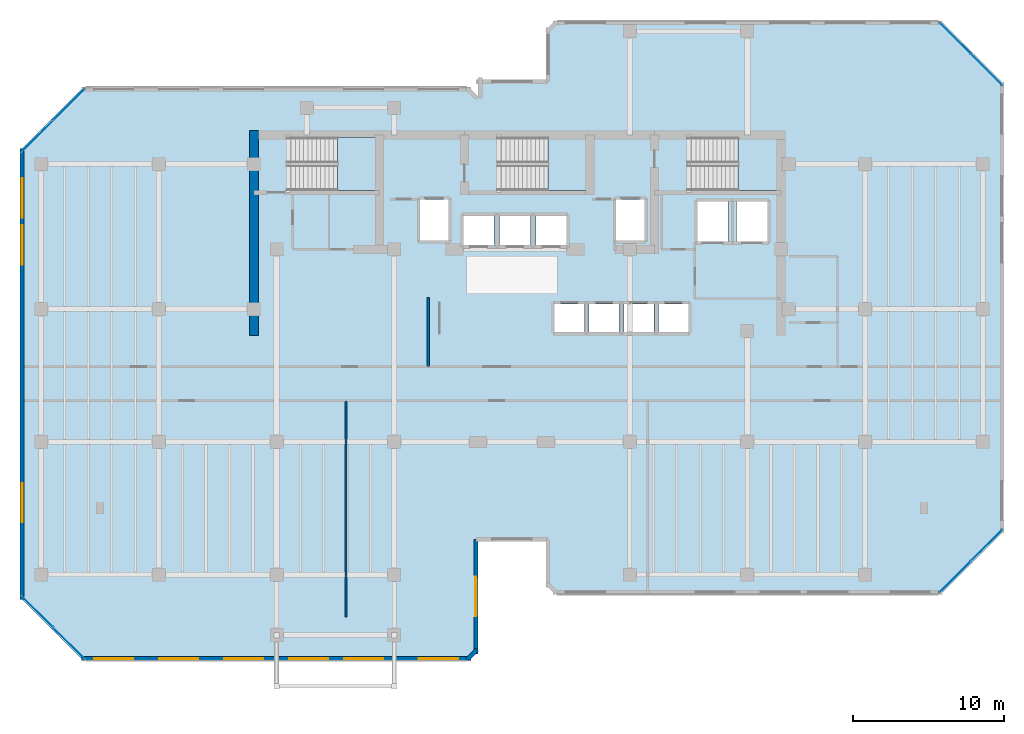
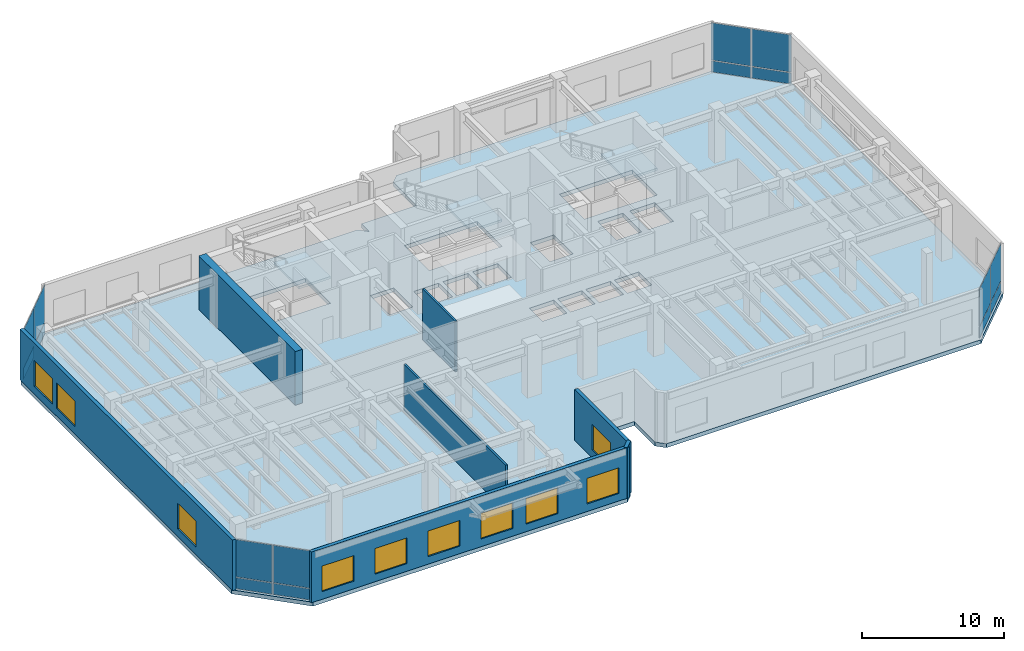
# One storey, part 13 of 20: 16 plates, 10 windows, 7 walls, 4 slabs, 10 openings, 7 elements without a shape of their own.
"""IFC4 building model written with IfcOpenShell, lengths in metres."""

from ifc_helpers import new_model, si_unit, direction, frame, frame_2d, origin, origin_2d, place, context, subcontext, project, spatial, polyline, rectangle, outline, extrude, material, layer, layer_set, type_object, element, fill, aggregate, save


model = new_model("IFC4")

# Units and contexts
model_context = context("Model", 3, precision=1e-05, world=origin(), true_north=direction((0.0, 1.0)))
body_context = subcontext(model_context, "Body", "Model", "MODEL_VIEW")
ifc_project = project(units=[si_unit("LENGTHUNIT", "METRE"), si_unit("AREAUNIT", "SQUARE_METRE"), si_unit("VOLUMEUNIT", "CUBIC_METRE"), si_unit("PLANEANGLEUNIT", "RADIAN"), si_unit("MASSUNIT", "GRAM", prefix="KILO")], contexts=[model_context])

# Site, building, storey
site_placement = place(None, origin())
site = spatial("IfcSite", under=ifc_project, at=site_placement, CompositionType="ELEMENT")
building_placement = place(site_placement, origin())
building = spatial("IfcBuilding", under=site, at=building_placement, Name="Kestravale Grand Hotel", CompositionType="ELEMENT")
storey_placement = place(building_placement, frame((0.0, 0.0, 231.89990234375)))
storey = spatial("IfcBuildingStorey", under=building, at=storey_placement, Name="L58", CompositionType="ELEMENT", Elevation=231.89990234375)

# Curtain wall, plates
ifc_material_1 = material(Name="Thermally broken champagne-bronze aluminium and low-E glazing", Category="aluminium")
ifc_layer_1 = layer(ifc_material_1, 0.179931640625)
ifc_layer_set_1 = layer_set([ifc_layer_1], Name="CW-Z3")
curtain_wall_type = type_object("IfcCurtainWallType", Name="CW-Z3", PredefinedType="NOTDEFINED", material=ifc_layer_set_1)
curtain_wall_1_placement = place(storey_placement, origin())
curtain_wall_1 = element("IfcCurtainWall", 1, at=curtain_wall_1_placement, inside=storey, type_object=curtain_wall_type, Name="L58 unitised curtain wall 8", PredefinedType="NOTDEFINED")
ifc_material_2 = material(Name="Insulated clear low-E double glazing IGU", Category="glass")
ifc_layer_2 = layer(ifc_material_2, 0.031982421875)
ifc_layer_set_2 = layer_set([ifc_layer_2], Name="CW-PNL-32")
plate_type = type_object("IfcPlateType", Name="CW-PNL-32", PredefinedType="CURTAIN_PANEL", material=ifc_layer_set_2)
plate_1_placement = place(storey_placement, frame((68.35546875, 11.053466796875, 0.06494140625), z_axis=(0.0, 0.0, 1.0), x_axis=(0.707106781187, 0.707106781187, 0.0)))
plate_1 = element("IfcPlate", 2, at=plate_1_placement, type_object=plate_type, Name="CW-Z3 panel 1.1", PredefinedType="CURTAIN_PANEL", context=body_context, shape_type="SweptSolid", body=[
    extrude(rectangle(XDim=2.892333984375, YDim=0.031982421875, at=origin_2d()), origin(), (0.0, 0.0, 1.0), 0.952392578125),
])
plate_2_placement = place(storey_placement, frame((68.35546875, 11.053466796875, 1.08251953125), z_axis=(0.0, 0.0, 1.0), x_axis=(0.707106781187, 0.707106781187, 0.0)))
plate_2 = element("IfcPlate", 3, at=plate_2_placement, type_object=plate_type, Name="CW-Z3 panel 1.2", PredefinedType="CURTAIN_PANEL", context=body_context, shape_type="SweptSolid", body=[
    extrude(rectangle(XDim=2.892333984375, YDim=0.031982421875, at=origin_2d()), origin(), (0.0, 0.0, 1.0), 3.202392578125),
])
plate_3_placement = place(storey_placement, frame((70.446533203125, 13.14453125, 0.06494140625), z_axis=(0.0, 0.0, 1.0), x_axis=(0.707106781187, 0.707106781187, 0.0)))
plate_3 = element("IfcPlate", 4, at=plate_3_placement, type_object=plate_type, Name="CW-Z3 panel 2.1", PredefinedType="CURTAIN_PANEL", context=body_context, shape_type="SweptSolid", body=[
    extrude(rectangle(XDim=2.892333984375, YDim=0.031982421875, at=origin_2d()), origin(), (0.0, 0.0, 1.0), 0.952392578125),
])
plate_4_placement = place(storey_placement, frame((70.446533203125, 13.14453125, 1.08251953125), z_axis=(0.0, 0.0, 1.0), x_axis=(0.707106781187, 0.707106781187, 0.0)))
plate_4 = element("IfcPlate", 5, at=plate_4_placement, type_object=plate_type, Name="CW-Z3 panel 2.2", PredefinedType="CURTAIN_PANEL", context=body_context, shape_type="SweptSolid", body=[
    extrude(rectangle(XDim=2.892333984375, YDim=0.031982421875, at=origin_2d()), origin(), (0.0, 0.0, 1.0), 3.202392578125),
])
aggregate(curtain_wall_1, [plate_1, plate_2, plate_3, plate_4])

curtain_wall_2_placement = place(storey_placement, origin())
curtain_wall_2 = element("IfcCurtainWall", 6, at=curtain_wall_2_placement, inside=storey, type_object=curtain_wall_type, Name="L58 unitised curtain wall 10", PredefinedType="NOTDEFINED")
plate_5_placement = place(storey_placement, frame((70.446533203125, 44.6552734375, 0.06494140625), z_axis=(0.0, 0.0, 1.0), x_axis=(-0.707106781187, 0.707106781187, 0.0)))
plate_5 = element("IfcPlate", 7, at=plate_5_placement, type_object=plate_type, Name="CW-Z3 panel 1.1", PredefinedType="CURTAIN_PANEL", context=body_context, shape_type="SweptSolid", body=[
    extrude(rectangle(XDim=2.892333984375, YDim=0.031982421875, at=origin_2d()), origin(), (0.0, 0.0, 1.0), 0.952392578125),
])
plate_6_placement = place(storey_placement, frame((70.446533203125, 44.6552734375, 1.08251953125), z_axis=(0.0, 0.0, 1.0), x_axis=(-0.707106781187, 0.707106781187, 0.0)))
plate_6 = element("IfcPlate", 8, at=plate_6_placement, type_object=plate_type, Name="CW-Z3 panel 1.2", PredefinedType="CURTAIN_PANEL", context=body_context, shape_type="SweptSolid", body=[
    extrude(rectangle(XDim=2.892333984375, YDim=0.031982421875, at=origin_2d()), origin(), (0.0, 0.0, 1.0), 3.202392578125),
])
plate_7_placement = place(storey_placement, frame((68.35546875, 46.74658203125, 0.06494140625), z_axis=(0.0, 0.0, 1.0), x_axis=(-0.707106781187, 0.707106781187, 0.0)))
plate_7 = element("IfcPlate", 9, at=plate_7_placement, type_object=plate_type, Name="CW-Z3 panel 2.1", PredefinedType="CURTAIN_PANEL", context=body_context, shape_type="SweptSolid", body=[
    extrude(rectangle(XDim=2.892333984375, YDim=0.031982421875, at=origin_2d()), origin(), (0.0, 0.0, 1.0), 0.952392578125),
])
plate_8_placement = place(storey_placement, frame((68.35546875, 46.74658203125, 1.08251953125), z_axis=(0.0, 0.0, 1.0), x_axis=(-0.707106781187, 0.707106781187, 0.0)))
plate_8 = element("IfcPlate", 10, at=plate_8_placement, type_object=plate_type, Name="CW-Z3 panel 2.2", PredefinedType="CURTAIN_PANEL", context=body_context, shape_type="SweptSolid", body=[
    extrude(rectangle(XDim=2.892333984375, YDim=0.031982421875, at=origin_2d()), origin(), (0.0, 0.0, 1.0), 3.202392578125),
])
aggregate(curtain_wall_2, [plate_5, plate_6, plate_7, plate_8])

curtain_wall_3_placement = place(storey_placement, origin())
curtain_wall_3 = element("IfcCurtainWall", 11, at=curtain_wall_3_placement, inside=storey, type_object=curtain_wall_type, Name="L58 unitised curtain wall 18", PredefinedType="NOTDEFINED")
plate_9_placement = place(storey_placement, frame((9.64453125, 42.3466796875, 0.06494140625), z_axis=(0.0, 0.0, 1.0), x_axis=(-0.707106781187, -0.707106781187, 0.0)))
plate_9 = element("IfcPlate", 12, at=plate_9_placement, type_object=plate_type, Name="CW-Z3 panel 1.1", PredefinedType="CURTAIN_PANEL", context=body_context, shape_type="SweptSolid", body=[
    extrude(rectangle(XDim=2.892333984375, YDim=0.031982421875, at=origin_2d()), origin(), (0.0, 0.0, 1.0), 0.952392578125),
])
plate_10_placement = place(storey_placement, frame((9.64453125, 42.3466796875, 1.08251953125), z_axis=(0.0, 0.0, 1.0), x_axis=(-0.707106781187, -0.707106781187, 0.0)))
plate_10 = element("IfcPlate", 13, at=plate_10_placement, type_object=plate_type, Name="CW-Z3 panel 1.2", PredefinedType="CURTAIN_PANEL", context=body_context, shape_type="SweptSolid", body=[
    extrude(rectangle(XDim=2.892333984375, YDim=0.031982421875, at=origin_2d()), origin(), (0.0, 0.0, 1.0), 3.202392578125),
])
plate_11_placement = place(storey_placement, frame((7.553466796875, 40.25537109375, 0.06494140625), z_axis=(0.0, 0.0, 1.0), x_axis=(-0.707106781187, -0.707106781187, 0.0)))
plate_11 = element("IfcPlate", 14, at=plate_11_placement, type_object=plate_type, Name="CW-Z3 panel 2.1", PredefinedType="CURTAIN_PANEL", context=body_context, shape_type="SweptSolid", body=[
    extrude(rectangle(XDim=2.892333984375, YDim=0.031982421875, at=origin_2d()), origin(), (0.0, 0.0, 1.0), 0.952392578125),
])
plate_12_placement = place(storey_placement, frame((7.553466796875, 40.25537109375, 1.08251953125), z_axis=(0.0, 0.0, 1.0), x_axis=(-0.707106781187, -0.707106781187, 0.0)))
plate_12 = element("IfcPlate", 15, at=plate_12_placement, type_object=plate_type, Name="CW-Z3 panel 2.2", PredefinedType="CURTAIN_PANEL", context=body_context, shape_type="SweptSolid", body=[
    extrude(rectangle(XDim=2.892333984375, YDim=0.031982421875, at=origin_2d()), origin(), (0.0, 0.0, 1.0), 3.202392578125),
])
aggregate(curtain_wall_3, [plate_9, plate_10, plate_11, plate_12])

curtain_wall_4_placement = place(storey_placement, origin())
curtain_wall_4 = element("IfcCurtainWall", 16, at=curtain_wall_4_placement, inside=storey, type_object=curtain_wall_type, Name="L58 unitised curtain wall 20", PredefinedType="NOTDEFINED")
plate_13_placement = place(storey_placement, frame((7.553466796875, 8.74462890625, 0.06494140625), z_axis=(0.0, 0.0, 1.0), x_axis=(0.707106781187, -0.707106781187, 0.0)))
plate_13 = element("IfcPlate", 17, at=plate_13_placement, type_object=plate_type, Name="CW-Z3 panel 1.1", PredefinedType="CURTAIN_PANEL", context=body_context, shape_type="SweptSolid", body=[
    extrude(rectangle(XDim=2.892333984375, YDim=0.031982421875, at=origin_2d()), origin(), (0.0, 0.0, 1.0), 0.952392578125),
])
plate_14_placement = place(storey_placement, frame((7.553466796875, 8.74462890625, 1.08251953125), z_axis=(0.0, 0.0, 1.0), x_axis=(0.707106781187, -0.707106781187, 0.0)))
plate_14 = element("IfcPlate", 18, at=plate_14_placement, type_object=plate_type, Name="CW-Z3 panel 1.2", PredefinedType="CURTAIN_PANEL", context=body_context, shape_type="SweptSolid", body=[
    extrude(rectangle(XDim=2.892333984375, YDim=0.031982421875, at=origin_2d()), origin(), (0.0, 0.0, 1.0), 3.202392578125),
])
plate_15_placement = place(storey_placement, frame((9.64453125, 6.6533203125, 0.06494140625), z_axis=(0.0, 0.0, 1.0), x_axis=(0.707106781187, -0.707106781187, 0.0)))
plate_15 = element("IfcPlate", 19, at=plate_15_placement, type_object=plate_type, Name="CW-Z3 panel 2.1", PredefinedType="CURTAIN_PANEL", context=body_context, shape_type="SweptSolid", body=[
    extrude(rectangle(XDim=2.892333984375, YDim=0.031982421875, at=origin_2d()), origin(), (0.0, 0.0, 1.0), 0.952392578125),
])
plate_16_placement = place(storey_placement, frame((9.64453125, 6.6533203125, 1.08251953125), z_axis=(0.0, 0.0, 1.0), x_axis=(0.707106781187, -0.707106781187, 0.0)))
plate_16 = element("IfcPlate", 20, at=plate_16_placement, type_object=plate_type, Name="CW-Z3 panel 2.2", PredefinedType="CURTAIN_PANEL", context=body_context, shape_type="SweptSolid", body=[
    extrude(rectangle(XDim=2.892333984375, YDim=0.031982421875, at=origin_2d()), origin(), (0.0, 0.0, 1.0), 3.202392578125),
])
aggregate(curtain_wall_4, [plate_13, plate_14, plate_15, plate_16])

# Stair, slab
ifc_material_3 = material(Name="Concrete f'c 45 MPa", Category="concrete")
stair_type = type_object("IfcStairType", Name="ST-CORE-460", PredefinedType="HALF_TURN_STAIR", material=ifc_material_3)
stair_1_placement = place(storey_placement, origin())
stair_1 = element("IfcStair", 21, at=stair_1_placement, inside=storey, type_object=stair_type, Name="L58 ST-1", PredefinedType="HALF_TURN_STAIR")
ifc_material_4 = material(Name="Concrete f'c 45 MPa", Category="concrete")
ifc_layer_3 = layer(ifc_material_4, 0.199951171875)
ifc_layer_set_3 = layer_set([ifc_layer_3], Name="SLB-ST-LND200")
slab_type_1 = type_object("IfcSlabType", Name="SLB-ST-LND200", PredefinedType="LANDING", material=ifc_layer_set_3)
slab_1_placement = place(storey_placement, frame((0.0, 0.0, 2.10009765625)))
slab_1 = element("IfcSlab", 22, at=slab_1_placement, type_object=slab_type_1, Name="ST-1 landing 1", PredefinedType="LANDING", context=body_context, shape_type="SweptSolid", body=[
    extrude(outline(polyline([(27.43994140625, 36.64990234375), (30.0, 36.64990234375), (30.0, 40.159912109375), (27.43994140625, 40.159912109375), (27.43994140625, 36.64990234375)])), origin(), (0.0, 0.0, 1.0), 0.199951171875),
])
aggregate(stair_1, [slab_1])

stair_2_placement = place(storey_placement, origin())
stair_2 = element("IfcStair", 23, at=stair_2_placement, inside=storey, type_object=stair_type, Name="L58 ST-2", PredefinedType="HALF_TURN_STAIR")
slab_2_placement = place(storey_placement, frame((0.0, 0.0, 2.10009765625)))
slab_2 = element("IfcSlab", 24, at=slab_2_placement, type_object=slab_type_1, Name="ST-2 landing 1", PredefinedType="LANDING", context=body_context, shape_type="SweptSolid", body=[
    extrude(outline(polyline([(41.389892578125, 36.64990234375), (43.949951171875, 36.64990234375), (43.949951171875, 40.159912109375), (41.389892578125, 40.159912109375), (41.389892578125, 36.64990234375)])), origin(), (0.0, 0.0, 1.0), 0.199951171875),
])
aggregate(stair_2, [slab_2])

stair_3_placement = place(storey_placement, origin())
stair_3 = element("IfcStair", 25, at=stair_3_placement, inside=storey, type_object=stair_type, Name="L58 ST-3", PredefinedType="HALF_TURN_STAIR")
slab_3_placement = place(storey_placement, frame((0.0, 0.0, 2.10009765625)))
slab_3 = element("IfcSlab", 26, at=slab_3_placement, type_object=slab_type_1, Name="ST-3 landing 1", PredefinedType="LANDING", context=body_context, shape_type="SweptSolid", body=[
    extrude(outline(polyline([(53.989990234375, 36.64990234375), (56.550048828125, 36.64990234375), (56.550048828125, 40.159912109375), (53.989990234375, 40.159912109375), (53.989990234375, 36.64990234375)])), origin(), (0.0, 0.0, 1.0), 0.199951171875),
])
aggregate(stair_3, [slab_3])

# Slab
ifc_material_5 = material(Name="Concrete f'c 45 MPa", Category="concrete")
ifc_layer_4 = layer(ifc_material_5, 0.340087890625)
ifc_layer_set_4 = layer_set([ifc_layer_4], Name="SS-FLR-340")
slab_type_2 = type_object("IfcSlabType", Name="SS-FLR-340", PredefinedType="FLOOR", material=ifc_layer_set_4)
slab_4_placement = place(storey_placement, frame((0.0, 0.0, -0.33984375)))
element("IfcSlab", 27, at=slab_4_placement, inside=storey, type_object=slab_type_2, Name="L58 structural floor slab", PredefinedType="FLOOR", context=body_context, shape_type="SweptSolid", body=[
    extrude(outline(polyline([(10.60009765625, 5.5), (36.14990234375, 5.5), (36.75, 6.10009765625), (36.75, 13.39990234375), (41.25, 13.39990234375), (41.25, 10.5), (41.85009765625, 9.89990234375), (67.39990234375, 9.89990234375), (71.60009765625, 14.10009765625), (71.60009765625, 43.699951171875), (67.39990234375, 47.89990234375), (41.85009765625, 47.89990234375), (41.25, 47.300048828125), (41.25, 44.0), (36.75, 44.0), (36.75, 42.89990234375), (36.14990234375, 43.5), (10.60009765625, 43.5), (6.39990234375, 39.300048828125), (6.39990234375, 9.699951171875), (10.60009765625, 5.5)]), holes=[polyline([(24.080078125, 36.64990234375), (30.0, 36.64990234375), (30.0, 40.159912109375), (24.080078125, 40.159912109375), (24.080078125, 36.64990234375)]), polyline([(38.030029296875, 36.64990234375), (43.949951171875, 36.64990234375), (43.949951171875, 40.159912109375), (38.030029296875, 40.159912109375), (38.030029296875, 36.64990234375)]), polyline([(50.6298828125, 36.64990234375), (56.550048828125, 36.64990234375), (56.550048828125, 40.159912109375), (50.6298828125, 40.159912109375), (50.6298828125, 36.64990234375)]), polyline([(41.804931640625, 27.280029296875), (43.794921875, 27.280029296875), (43.794921875, 29.1201171875), (41.804931640625, 29.1201171875), (41.804931640625, 27.280029296875)]), polyline([(44.10498046875, 27.280029296875), (46.094970703125, 27.280029296875), (46.094970703125, 29.1201171875), (44.10498046875, 29.1201171875), (44.10498046875, 27.280029296875)]), polyline([(46.405029296875, 27.280029296875), (48.39501953125, 27.280029296875), (48.39501953125, 29.1201171875), (46.405029296875, 29.1201171875), (46.405029296875, 27.280029296875)]), polyline([(48.705078125, 27.280029296875), (50.695068359375, 27.280029296875), (50.695068359375, 29.1201171875), (48.705078125, 29.1201171875), (48.705078125, 27.280029296875)]), polyline([(35.780029296875, 33.030029296875), (37.820068359375, 33.030029296875), (37.820068359375, 34.969970703125), (35.780029296875, 34.969970703125), (35.780029296875, 33.030029296875)]), polyline([(38.179931640625, 33.030029296875), (40.219970703125, 33.030029296875), (40.219970703125, 34.969970703125), (38.179931640625, 34.969970703125), (38.179931640625, 33.030029296875)]), polyline([(40.580078125, 33.030029296875), (42.6201171875, 33.030029296875), (42.6201171875, 34.969970703125), (40.580078125, 34.969970703125), (40.580078125, 33.030029296875)]), polyline([(32.905029296875, 33.35498046875), (34.794921875, 33.35498046875), (34.794921875, 36.044921875), (32.905029296875, 36.044921875), (32.905029296875, 33.35498046875)]), polyline([(45.905029296875, 33.35498046875), (47.794921875, 33.35498046875), (47.794921875, 36.044921875), (45.905029296875, 36.044921875), (45.905029296875, 33.35498046875)]), polyline([(51.280029296875, 33.280029296875), (53.320068359375, 33.280029296875), (53.320068359375, 35.919921875), (51.280029296875, 35.919921875), (51.280029296875, 33.280029296875)]), polyline([(53.8798828125, 33.280029296875), (55.919921875, 33.280029296875), (55.919921875, 35.919921875), (53.8798828125, 35.919921875), (53.8798828125, 33.280029296875)])]), origin(), (0.0, 0.0, 1.0), 0.33984375),
])

# Wall
ifc_material_6 = material(Name="Concrete f'c 50 MPa", Category="concrete")
ifc_layer_5 = layer(ifc_material_6, 0.60009765625)
ifc_layer_set_5 = layer_set([ifc_layer_5], Name="EW-CORE-600")
wall_type_1 = type_object("IfcWallType", Name="EW-CORE-600", PredefinedType="SHEAR", material=ifc_layer_set_5)
wall_1_placement = place(storey_placement, frame((21.89990234375, 27.050048828125, 0.0), z_axis=(0.0, 0.0, 1.0), x_axis=(0.0, 1.0, 0.0)))
element("IfcWall", 28, at=wall_1_placement, inside=storey, type_object=wall_type_1, Name="L58 core shear wall W1", PredefinedType="SHEAR", context=body_context, shape_type="SweptSolid", body=[
    extrude(rectangle(XDim=13.570068359375, YDim=0.60009765625, at=frame_2d((6.78515625, 0.0))), origin(), (0.0, 0.0, 1.0), 4.60009765625),
])

# Wall, openings, windows
ifc_material_7 = material(Name="Precast concrete f'c 45 MPa", Category="concrete")
ifc_layer_6 = layer(ifc_material_7, 0.280029296875)
ifc_layer_set_6 = layer_set([ifc_layer_6], Name="EW-PREC-280")
wall_type_2 = type_object("IfcWallType", Name="EW-PREC-280", PredefinedType="SOLIDWALL", material=ifc_layer_set_6)
wall_2_placement = place(storey_placement, frame((10.4599609375, 5.639892578125, 0.0), z_axis=(0.0, 0.0, 1.0), x_axis=(1.0, 0.0, 0.0)))
wall_2 = element("IfcWall", 29, at=wall_2_placement, inside=storey, type_object=wall_type_2, Name="L58 fluted precast facade wall 1", PredefinedType="SOLIDWALL", context=body_context, shape_type="SweptSolid", body=[
    extrude(rectangle(XDim=25.830078125, YDim=0.280029296875, at=frame_2d((12.9150390625, 0.0))), origin(), (0.0, 0.0, 1.0), 4.35009765625),
])
opening_1_placement = place(wall_2_placement, frame((0.8525390625, 0.0, 0.64990234375)))
opening_1 = element("IfcOpeningElement", 30, at=opening_1_placement, cuts=wall_2, Name="Opening W-SKY-2600", PredefinedType="OPENING", context=body_context, shape_type="SweptSolid", body=[
    extrude(rectangle(XDim=2.60009765625, YDim=2.199951171875, at=frame_2d((1.300048828125, 1.10009765625))), frame((0.0, 0.14990234375, 0.0), z_axis=(0.0, -1.0, 0.0), x_axis=(1.0, 0.0, 0.0)), (0.0, 0.0, 1.0), 0.300048828125),
])
opening_2_placement = place(wall_2_placement, frame((5.157470703125, 0.0, 0.64990234375)))
opening_2 = element("IfcOpeningElement", 31, at=opening_2_placement, cuts=wall_2, Name="Opening W-SKY-2600", PredefinedType="OPENING", context=body_context, shape_type="SweptSolid", body=[
    extrude(rectangle(XDim=2.60009765625, YDim=2.199951171875, at=frame_2d((1.300048828125, 1.10009765625))), frame((0.0, 0.14990234375, 0.0), z_axis=(0.0, -1.0, 0.0), x_axis=(1.0, 0.0, 0.0)), (0.0, 0.0, 1.0), 0.300048828125),
])
opening_3_placement = place(wall_2_placement, frame((9.46240234375, 0.0, 0.64990234375)))
opening_3 = element("IfcOpeningElement", 32, at=opening_3_placement, cuts=wall_2, Name="Opening W-SKY-2600", PredefinedType="OPENING", context=body_context, shape_type="SweptSolid", body=[
    extrude(rectangle(XDim=2.60009765625, YDim=2.199951171875, at=frame_2d((1.300048828125, 1.10009765625))), frame((0.0, 0.14990234375, 0.0), z_axis=(0.0, -1.0, 0.0), x_axis=(1.0, 0.0, 0.0)), (0.0, 0.0, 1.0), 0.300048828125),
])
opening_4_placement = place(wall_2_placement, frame((13.767578125, 0.0, 0.64990234375)))
opening_4 = element("IfcOpeningElement", 33, at=opening_4_placement, cuts=wall_2, Name="Opening W-SKY-2600", PredefinedType="OPENING", context=body_context, shape_type="SweptSolid", body=[
    extrude(rectangle(XDim=2.60009765625, YDim=2.199951171875, at=frame_2d((1.300048828125, 1.10009765625))), frame((0.0, 0.14990234375, 0.0), z_axis=(0.0, -1.0, 0.0), x_axis=(1.0, 0.0, 0.0)), (0.0, 0.0, 1.0), 0.300048828125),
])
opening_5_placement = place(wall_2_placement, frame((17.422607421875, 0.0, 0.64990234375)))
opening_5 = element("IfcOpeningElement", 34, at=opening_5_placement, cuts=wall_2, Name="Opening W-SKY-2600", PredefinedType="OPENING", context=body_context, shape_type="SweptSolid", body=[
    extrude(rectangle(XDim=2.60009765625, YDim=2.199951171875, at=frame_2d((1.300048828125, 1.10009765625))), frame((0.0, 0.14990234375, 0.0), z_axis=(0.0, -1.0, 0.0), x_axis=(1.0, 0.0, 0.0)), (0.0, 0.0, 1.0), 0.300048828125),
])
opening_6_placement = place(wall_2_placement, frame((22.37744140625, 0.0, 0.64990234375)))
opening_6 = element("IfcOpeningElement", 35, at=opening_6_placement, cuts=wall_2, Name="Opening W-SKY-2600", PredefinedType="OPENING", context=body_context, shape_type="SweptSolid", body=[
    extrude(rectangle(XDim=2.60009765625, YDim=2.199951171875, at=frame_2d((1.300048828125, 1.10009765625))), frame((0.0, 0.14990234375, 0.0), z_axis=(0.0, -1.0, 0.0), x_axis=(1.0, 0.0, 0.0)), (0.0, 0.0, 1.0), 0.300048828125),
])
ifc_material_8 = material(Name="Insulated low-E double glazing in aluminium frame", Category="aluminium")
window_type = type_object("IfcWindowType", Name="W-SKY-2600", PartitioningType="TRIPLE_PANEL_VERTICAL", PredefinedType="WINDOW", material=ifc_material_8)
window_1_placement = place(opening_1_placement, origin())
window_1 = element("IfcWindow", 36, at=window_1_placement, inside=storey, type_object=window_type, Name="L58 exterior window 1.1", OverallHeight=2.199951171875, OverallWidth=2.60009765625, PartitioningType="SINGLE_PANEL", PredefinedType="WINDOW", context=body_context, shape_type="SweptSolid", body=[
    extrude(rectangle(XDim=2.60009765625, YDim=2.199951171875, at=frame_2d((1.300048828125, 1.10009765625))), frame((0.0, 0.030029296875, 0.0), z_axis=(0.0, -1.0, 0.0), x_axis=(1.0, 0.0, 0.0)), (0.0, 0.0, 1.0), 0.06005859375),
])
fill(opening_1, window_1)
window_2_placement = place(opening_2_placement, origin())
window_2 = element("IfcWindow", 37, at=window_2_placement, inside=storey, type_object=window_type, Name="L58 exterior window 1.2", OverallHeight=2.199951171875, OverallWidth=2.60009765625, PartitioningType="SINGLE_PANEL", PredefinedType="WINDOW", context=body_context, shape_type="SweptSolid", body=[
    extrude(rectangle(XDim=2.60009765625, YDim=2.199951171875, at=frame_2d((1.300048828125, 1.10009765625))), frame((0.0, 0.030029296875, 0.0), z_axis=(0.0, -1.0, 0.0), x_axis=(1.0, 0.0, 0.0)), (0.0, 0.0, 1.0), 0.06005859375),
])
fill(opening_2, window_2)
window_3_placement = place(opening_3_placement, origin())
window_3 = element("IfcWindow", 38, at=window_3_placement, inside=storey, type_object=window_type, Name="L58 exterior window 1.3", OverallHeight=2.199951171875, OverallWidth=2.60009765625, PartitioningType="SINGLE_PANEL", PredefinedType="WINDOW", context=body_context, shape_type="SweptSolid", body=[
    extrude(rectangle(XDim=2.60009765625, YDim=2.199951171875, at=frame_2d((1.300048828125, 1.10009765625))), frame((0.0, 0.030029296875, 0.0), z_axis=(0.0, -1.0, 0.0), x_axis=(1.0, 0.0, 0.0)), (0.0, 0.0, 1.0), 0.06005859375),
])
fill(opening_3, window_3)
window_4_placement = place(opening_4_placement, origin())
window_4 = element("IfcWindow", 39, at=window_4_placement, inside=storey, type_object=window_type, Name="L58 exterior window 1.4", OverallHeight=2.199951171875, OverallWidth=2.60009765625, PartitioningType="SINGLE_PANEL", PredefinedType="WINDOW", context=body_context, shape_type="SweptSolid", body=[
    extrude(rectangle(XDim=2.60009765625, YDim=2.199951171875, at=frame_2d((1.300048828125, 1.10009765625))), frame((0.0, 0.030029296875, 0.0), z_axis=(0.0, -1.0, 0.0), x_axis=(1.0, 0.0, 0.0)), (0.0, 0.0, 1.0), 0.06005859375),
])
fill(opening_4, window_4)
window_5_placement = place(opening_5_placement, origin())
window_5 = element("IfcWindow", 40, at=window_5_placement, inside=storey, type_object=window_type, Name="L58 exterior window 1.5", OverallHeight=2.199951171875, OverallWidth=2.60009765625, PartitioningType="SINGLE_PANEL", PredefinedType="WINDOW", context=body_context, shape_type="SweptSolid", body=[
    extrude(rectangle(XDim=2.60009765625, YDim=2.199951171875, at=frame_2d((1.300048828125, 1.10009765625))), frame((0.0, 0.030029296875, 0.0), z_axis=(0.0, -1.0, 0.0), x_axis=(1.0, 0.0, 0.0)), (0.0, 0.0, 1.0), 0.06005859375),
])
fill(opening_5, window_5)
window_6_placement = place(opening_6_placement, origin())
window_6 = element("IfcWindow", 41, at=window_6_placement, inside=storey, type_object=window_type, Name="L58 exterior window 1.6", OverallHeight=2.199951171875, OverallWidth=2.60009765625, PartitioningType="SINGLE_PANEL", PredefinedType="WINDOW", context=body_context, shape_type="SweptSolid", body=[
    extrude(rectangle(XDim=2.60009765625, YDim=2.199951171875, at=frame_2d((1.300048828125, 1.10009765625))), frame((0.0, 0.030029296875, 0.0), z_axis=(0.0, -1.0, 0.0), x_axis=(1.0, 0.0, 0.0)), (0.0, 0.0, 1.0), 0.06005859375),
])
fill(opening_6, window_6)

# Wall
wall_3_placement = place(storey_placement, frame((36.022705078125, 5.57080078125, 0.0), z_axis=(0.0, 0.0, 1.0), x_axis=(0.707106781187, 0.707106781187, 0.0)))
element("IfcWall", 42, at=wall_3_placement, inside=storey, type_object=wall_type_2, Name="L58 fluted precast facade wall 2", PredefinedType="SOLIDWALL", context=body_context, shape_type="SweptSolid", body=[
    extrude(rectangle(XDim=0.928466796875, YDim=0.280029296875, at=frame_2d((0.46435546875, 0.0))), origin(), (0.0, 0.0, 1.0), 4.35009765625),
])

# Wall, opening, window
wall_4_placement = place(storey_placement, frame((36.610107421875, 5.9599609375, 0.0), z_axis=(0.0, 0.0, 1.0), x_axis=(0.0, 1.0, 0.0)))
wall_4 = element("IfcWall", 43, at=wall_4_placement, inside=storey, type_object=wall_type_2, Name="L58 fluted precast facade wall 3", PredefinedType="SOLIDWALL", context=body_context, shape_type="SweptSolid", body=[
    extrude(rectangle(XDim=7.580078125, YDim=0.280029296875, at=frame_2d((3.7900390625, 0.0))), origin(), (0.0, 0.0, 1.0), 4.35009765625),
])
opening_7_placement = place(wall_4_placement, frame((2.489990234375, 0.0, 0.64990234375)))
opening_7 = element("IfcOpeningElement", 44, at=opening_7_placement, cuts=wall_4, Name="Opening W-SKY-2600", PredefinedType="OPENING", context=body_context, shape_type="SweptSolid", body=[
    extrude(rectangle(XDim=2.60009765625, YDim=2.199951171875, at=frame_2d((1.300048828125, 1.10009765625))), frame((0.0, 0.14990234375, 0.0), z_axis=(0.0, -1.0, 0.0), x_axis=(1.0, 0.0, 0.0)), (0.0, 0.0, 1.0), 0.300048828125),
])
window_7_placement = place(opening_7_placement, origin())
window_7 = element("IfcWindow", 45, at=window_7_placement, inside=storey, type_object=window_type, Name="L58 exterior window 3.1", OverallHeight=2.199951171875, OverallWidth=2.60009765625, PartitioningType="SINGLE_PANEL", PredefinedType="WINDOW", context=body_context, shape_type="SweptSolid", body=[
    extrude(rectangle(XDim=2.60009765625, YDim=2.199951171875, at=frame_2d((1.300048828125, 1.10009765625))), frame((0.0, 0.030029296875, 0.0), z_axis=(0.0, -1.0, 0.0), x_axis=(1.0, 0.0, 0.0)), (0.0, 0.0, 1.0), 0.06005859375),
])
fill(opening_7, window_7)

# Wall, openings, windows
wall_5_placement = place(storey_placement, frame((6.5400390625, 39.43994140625, 0.0), z_axis=(0.0, 0.0, 1.0), x_axis=(0.0, -1.0, 0.0)))
wall_5 = element("IfcWall", 46, at=wall_5_placement, inside=storey, type_object=wall_type_2, Name="L58 fluted precast facade wall 19", PredefinedType="SOLIDWALL", context=body_context, shape_type="SweptSolid", body=[
    extrude(rectangle(XDim=29.8798828125, YDim=0.280029296875, at=frame_2d((14.93994140625, 0.0))), origin(), (0.0, 0.0, 1.0), 4.35009765625),
])
opening_8_placement = place(wall_5_placement, frame((1.984375, 0.0, 0.64990234375)))
opening_8 = element("IfcOpeningElement", 47, at=opening_8_placement, cuts=wall_5, Name="Opening W-SKY-2600", PredefinedType="OPENING", context=body_context, shape_type="SweptSolid", body=[
    extrude(rectangle(XDim=2.60009765625, YDim=2.199951171875, at=frame_2d((1.300048828125, 1.10009765625))), frame((0.0, 0.14990234375, 0.0), z_axis=(0.0, -1.0, 0.0), x_axis=(1.0, 0.0, 0.0)), (0.0, 0.0, 1.0), 0.300048828125),
])
opening_9_placement = place(wall_5_placement, frame((5.102783203125, 0.0, 0.64990234375)))
opening_9 = element("IfcOpeningElement", 48, at=opening_9_placement, cuts=wall_5, Name="Opening W-SKY-2600", PredefinedType="OPENING", context=body_context, shape_type="SweptSolid", body=[
    extrude(rectangle(XDim=2.60009765625, YDim=2.199951171875, at=frame_2d((1.300048828125, 1.10009765625))), frame((0.0, 0.14990234375, 0.0), z_axis=(0.0, -1.0, 0.0), x_axis=(1.0, 0.0, 0.0)), (0.0, 0.0, 1.0), 0.300048828125),
])
opening_10_placement = place(wall_5_placement, frame((22.177001953125, 0.0, 0.64990234375)))
opening_10 = element("IfcOpeningElement", 49, at=opening_10_placement, cuts=wall_5, Name="Opening W-SKY-2600", PredefinedType="OPENING", context=body_context, shape_type="SweptSolid", body=[
    extrude(rectangle(XDim=2.60009765625, YDim=2.199951171875, at=frame_2d((1.300048828125, 1.10009765625))), frame((0.0, 0.14990234375, 0.0), z_axis=(0.0, -1.0, 0.0), x_axis=(1.0, 0.0, 0.0)), (0.0, 0.0, 1.0), 0.300048828125),
])
window_8_placement = place(opening_8_placement, origin())
window_8 = element("IfcWindow", 50, at=window_8_placement, inside=storey, type_object=window_type, Name="L58 exterior window 19.1", OverallHeight=2.199951171875, OverallWidth=2.60009765625, PartitioningType="SINGLE_PANEL", PredefinedType="WINDOW", context=body_context, shape_type="SweptSolid", body=[
    extrude(rectangle(XDim=2.60009765625, YDim=2.199951171875, at=frame_2d((1.300048828125, 1.10009765625))), frame((0.0, 0.030029296875, 0.0), z_axis=(0.0, -1.0, 0.0), x_axis=(1.0, 0.0, 0.0)), (0.0, 0.0, 1.0), 0.06005859375),
])
fill(opening_8, window_8)
window_9_placement = place(opening_9_placement, origin())
window_9 = element("IfcWindow", 51, at=window_9_placement, inside=storey, type_object=window_type, Name="L58 exterior window 19.2", OverallHeight=2.199951171875, OverallWidth=2.60009765625, PartitioningType="SINGLE_PANEL", PredefinedType="WINDOW", context=body_context, shape_type="SweptSolid", body=[
    extrude(rectangle(XDim=2.60009765625, YDim=2.199951171875, at=frame_2d((1.300048828125, 1.10009765625))), frame((0.0, 0.030029296875, 0.0), z_axis=(0.0, -1.0, 0.0), x_axis=(1.0, 0.0, 0.0)), (0.0, 0.0, 1.0), 0.06005859375),
])
fill(opening_9, window_9)
window_10_placement = place(opening_10_placement, origin())
window_10 = element("IfcWindow", 52, at=window_10_placement, inside=storey, type_object=window_type, Name="L58 exterior window 19.3", OverallHeight=2.199951171875, OverallWidth=2.60009765625, PartitioningType="SINGLE_PANEL", PredefinedType="WINDOW", context=body_context, shape_type="SweptSolid", body=[
    extrude(rectangle(XDim=2.60009765625, YDim=2.199951171875, at=frame_2d((1.300048828125, 1.10009765625))), frame((0.0, 0.030029296875, 0.0), z_axis=(0.0, -1.0, 0.0), x_axis=(1.0, 0.0, 0.0)), (0.0, 0.0, 1.0), 0.06005859375),
])
fill(opening_10, window_10)

# Walls
ifc_material_9 = material(Name="Double-stud STC 52 acoustic demising partition", Category="other")
ifc_layer_7 = layer(ifc_material_9, 0.14990234375)
ifc_layer_set_7 = layer_set([ifc_layer_7], Name="IW-UNIT-150")
wall_type_3 = type_object("IfcWallType", Name="IW-UNIT-150", PredefinedType="PARTITIONING", material=ifc_layer_set_7)
wall_6_placement = place(storey_placement, frame((33.449951171875, 24.97998046875, 0.0), z_axis=(0.0, 0.0, 1.0), x_axis=(0.0, 1.0, 0.0)))
element("IfcWall", 53, at=wall_6_placement, inside=storey, type_object=wall_type_3, Name="W-L58-RCLW-E", PredefinedType="PARTITIONING", context=body_context, shape_type="SweptSolid", body=[
    extrude(rectangle(XDim=4.570068359375, YDim=0.14990234375, at=frame_2d((2.28515625, 0.0))), origin(), (0.0, 0.0, 1.0), 4.35009765625),
])
wall_7_placement = place(storey_placement, frame((28.0, 8.39990234375, 0.0), z_axis=(0.0, 0.0, 1.0), x_axis=(0.0, 1.0, 0.0)))
element("IfcWall", 54, at=wall_7_placement, inside=storey, type_object=wall_type_3, Name="W-L58-SD-1", PredefinedType="PARTITIONING", context=body_context, shape_type="SweptSolid", body=[
    extrude(rectangle(XDim=14.320068359375, YDim=0.14990234375, at=frame_2d((7.16015625, 0.0))), origin(), (0.0, 0.0, 1.0), 3.946044921875),
])

save(model, "model.ifc")
